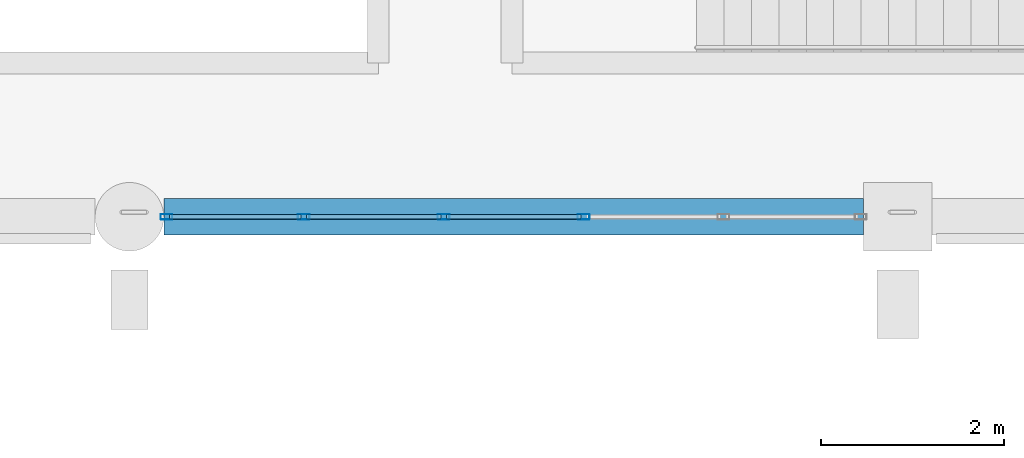
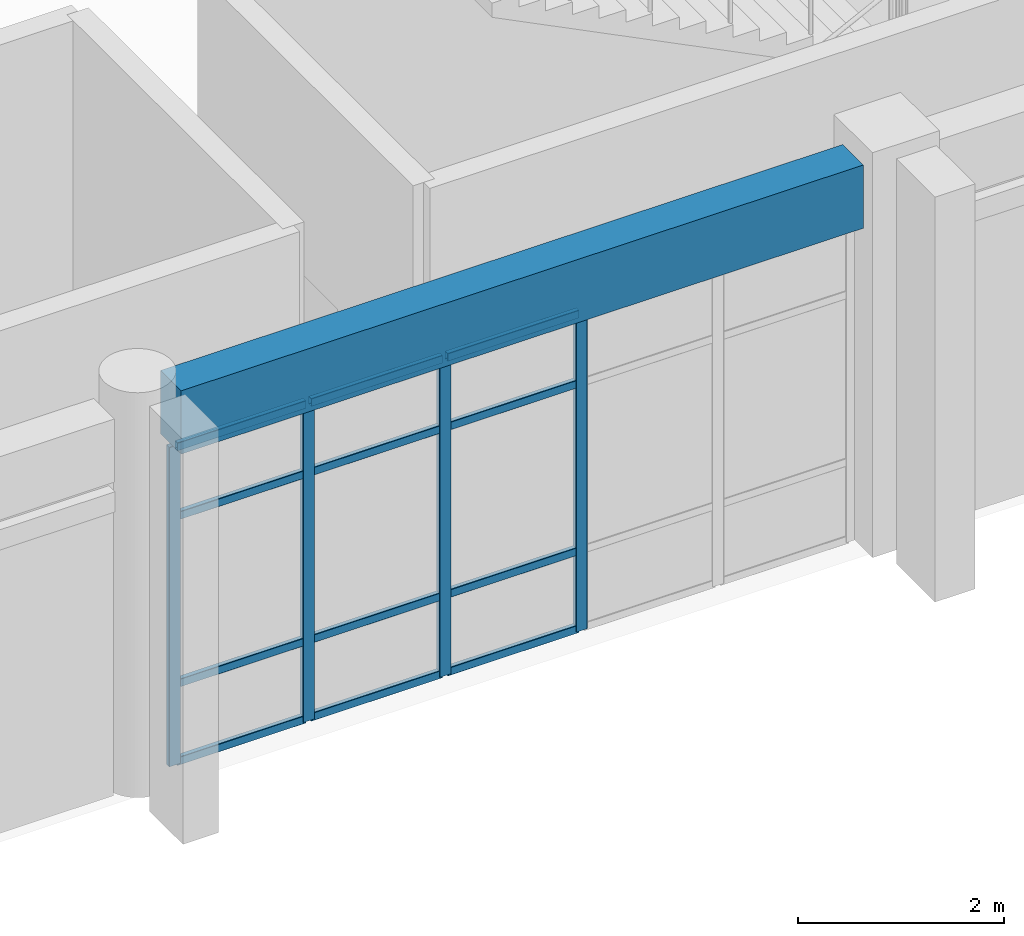
# One storey, part 12 of 111: 16 members, 1 beam, 1 element without a shape of its own.
"""IFC4 building model written with IfcOpenShell, lengths in metres."""

from ifc_helpers import new_model, si_unit, direction, frame, origin, origin_2d, place, context, subcontext, project, spatial, rectangle, hollow_rectangle, extrude, material, material_profile, profile_set, type_object, element, aggregate, save


model = new_model("IFC4")

# Units and contexts
model_context = context("Model", 3, precision=1e-05, world=origin(), true_north=direction((0.0, 1.0)))
body_context = subcontext(model_context, "Body", "Model", "MODEL_VIEW")
ifc_project = project(units=[si_unit("LENGTHUNIT", "METRE"), si_unit("AREAUNIT", "SQUARE_METRE"), si_unit("VOLUMEUNIT", "CUBIC_METRE"), si_unit("PLANEANGLEUNIT", "RADIAN"), si_unit("MASSUNIT", "GRAM", prefix="KILO")], contexts=[model_context])

# Site, building, storey
site_placement = place(None, origin())
site = spatial("IfcSite", under=ifc_project, at=site_placement, CompositionType="ELEMENT")
building_placement = place(site_placement, origin())
building = spatial("IfcBuilding", under=site, at=building_placement, Name="Canglan Escarpment Cableway Terminal", CompositionType="ELEMENT")
storey_placement = place(building_placement, frame((0.0, 0.0, 4.800048828125)))
storey = spatial("IfcBuildingStorey", under=building, at=storey_placement, Name="L01", CompositionType="ELEMENT", Elevation=4.800048828125)

# Curtain wall, members
ifc_material_1 = material(Name="Anodized bronze aluminium and Low-E double glazing", Category="aluminium")
curtain_wall_type = type_object("IfcCurtainWallType", Name="CW-BAY-7650x3775", PredefinedType="NOTDEFINED", material=ifc_material_1)
curtain_wall_placement = place(storey_placement, origin())
curtain_wall = element("IfcCurtainWall", 1, at=curtain_wall_placement, inside=storey, type_object=curtain_wall_type, Name="Classical bay-between-piers glazed curtain wall CW-03", PredefinedType="NOTDEFINED")
ifc_material_2 = material(Name="Thermally broken anodized aluminium 6063-T6", Category="aluminium")
ifc_material_profile_1 = material_profile(ifc_material_2, hollow_rectangle(XDim=0.06005859375, YDim=0.1298828125, WallThickness=0.0029296875, InnerFilletRadius=0.0029296875, OuterFilletRadius=0.006103515625, at=origin_2d()), Name="ALU-MULL 60x130x3")
ifc_profile_set_1 = profile_set([ifc_material_profile_1], Name="Thermally broken anodized aluminium 6063-T6")
member_type_1 = type_object("IfcMemberType", Name="CWM-01", PredefinedType="MULLION", material=ifc_profile_set_1)
member_1_placement = place(storey_placement, frame((51.304931640625, 8.0, 0.0), z_axis=(0.0, 0.0, 1.0), x_axis=(0.0, 1.0, 0.0)))
member_1 = element("IfcMember", 2, at=member_1_placement, type_object=member_type_1, Name="CW-03 mullion 1", PredefinedType="MULLION", context=body_context, shape_type="SweptSolid", body=[
    extrude(hollow_rectangle(XDim=0.06005859375, YDim=0.1298828125, WallThickness=0.0029296875, InnerFilletRadius=0.0029296875, OuterFilletRadius=0.006103515625, at=origin_2d()), origin(), (0.0, 0.0, 1.0), 3.784912109375),
])
member_2_placement = place(storey_placement, frame((52.804931640625, 8.0, 0.0), z_axis=(0.0, 0.0, 1.0), x_axis=(0.0, 1.0, 0.0)))
member_2 = element("IfcMember", 3, at=member_2_placement, type_object=member_type_1, Name="CW-03 mullion 2", PredefinedType="MULLION", context=body_context, shape_type="SweptSolid", body=[
    extrude(hollow_rectangle(XDim=0.06005859375, YDim=0.1298828125, WallThickness=0.0029296875, InnerFilletRadius=0.0029296875, OuterFilletRadius=0.006103515625, at=origin_2d()), origin(), (0.0, 0.0, 1.0), 3.784912109375),
])
member_3_placement = place(storey_placement, frame((54.3349609375, 8.0, 0.0), z_axis=(0.0, 0.0, 1.0), x_axis=(0.0, 1.0, 0.0)))
member_3 = element("IfcMember", 4, at=member_3_placement, type_object=member_type_1, Name="CW-03 mullion 3", PredefinedType="MULLION", context=body_context, shape_type="SweptSolid", body=[
    extrude(hollow_rectangle(XDim=0.06005859375, YDim=0.1298828125, WallThickness=0.0029296875, InnerFilletRadius=0.0029296875, OuterFilletRadius=0.006103515625, at=origin_2d()), origin(), (0.0, 0.0, 1.0), 3.784912109375),
])
member_4_placement = place(storey_placement, frame((55.864990234375, 8.0, 0.0), z_axis=(0.0, 0.0, 1.0), x_axis=(0.0, 1.0, 0.0)))
member_4 = element("IfcMember", 5, at=member_4_placement, type_object=member_type_1, Name="CW-03 mullion 4", PredefinedType="MULLION", context=body_context, shape_type="SweptSolid", body=[
    extrude(hollow_rectangle(XDim=0.06005859375, YDim=0.1298828125, WallThickness=0.0029296875, InnerFilletRadius=0.0029296875, OuterFilletRadius=0.006103515625, at=origin_2d()), origin(), (0.0, 0.0, 1.0), 3.784912109375),
])
ifc_material_profile_2 = material_profile(ifc_material_2, hollow_rectangle(XDim=0.054931640625, YDim=0.094970703125, WallThickness=0.0029296875, InnerFilletRadius=0.0029296875, OuterFilletRadius=0.006103515625, at=origin_2d()), Name="ALU-TRAN 55x95x3")
ifc_profile_set_2 = profile_set([ifc_material_profile_2], Name="Thermally broken anodized aluminium 6063-T6")
member_type_2 = type_object("IfcMemberType", Name="CWT-01", PredefinedType="USERDEFINED", material=ifc_profile_set_2)
member_5_placement = place(storey_placement, frame((51.3349609375, 8.0, 0.02734375), z_axis=(1.0, 0.0, 0.0), x_axis=(0.0, 1.0, 0.0)))
member_5 = element("IfcMember", 6, at=member_5_placement, type_object=member_type_2, Name="CW-03 transom 1.1", ObjectType="TRANSOM", PredefinedType="USERDEFINED", context=body_context, shape_type="SweptSolid", body=[
    extrude(hollow_rectangle(XDim=0.054931640625, YDim=0.094970703125, WallThickness=0.0029296875, InnerFilletRadius=0.0029296875, OuterFilletRadius=0.006103515625, at=origin_2d()), origin(), (0.0, 0.0, 1.0), 1.43994140625),
])
member_6_placement = place(storey_placement, frame((51.3349609375, 8.0, 0.949951171875), z_axis=(1.0, 0.0, 0.0), x_axis=(0.0, 1.0, 0.0)))
member_6 = element("IfcMember", 7, at=member_6_placement, type_object=member_type_2, Name="CW-03 transom 1.2", ObjectType="TRANSOM", PredefinedType="USERDEFINED", context=body_context, shape_type="SweptSolid", body=[
    extrude(hollow_rectangle(XDim=0.054931640625, YDim=0.094970703125, WallThickness=0.0029296875, InnerFilletRadius=0.0029296875, OuterFilletRadius=0.006103515625, at=origin_2d()), origin(), (0.0, 0.0, 1.0), 1.43994140625),
])
member_7_placement = place(storey_placement, frame((51.3349609375, 8.0, 2.93505859375), z_axis=(1.0, 0.0, 0.0), x_axis=(0.0, 1.0, 0.0)))
member_7 = element("IfcMember", 8, at=member_7_placement, type_object=member_type_2, Name="CW-03 transom 1.3", ObjectType="TRANSOM", PredefinedType="USERDEFINED", context=body_context, shape_type="SweptSolid", body=[
    extrude(hollow_rectangle(XDim=0.054931640625, YDim=0.094970703125, WallThickness=0.0029296875, InnerFilletRadius=0.0029296875, OuterFilletRadius=0.006103515625, at=origin_2d()), origin(), (0.0, 0.0, 1.0), 1.43994140625),
])
member_8_placement = place(storey_placement, frame((51.3349609375, 8.0, 3.757568359375), z_axis=(1.0, 0.0, 0.0), x_axis=(0.0, 1.0, 0.0)))
member_8 = element("IfcMember", 9, at=member_8_placement, type_object=member_type_2, Name="CW-03 transom 1.4", ObjectType="TRANSOM", PredefinedType="USERDEFINED", context=body_context, shape_type="SweptSolid", body=[
    extrude(hollow_rectangle(XDim=0.054931640625, YDim=0.094970703125, WallThickness=0.0029296875, InnerFilletRadius=0.0029296875, OuterFilletRadius=0.006103515625, at=origin_2d()), origin(), (0.0, 0.0, 1.0), 1.43994140625),
])
member_9_placement = place(storey_placement, frame((52.8349609375, 8.0, 0.02734375), z_axis=(1.0, 0.0, 0.0), x_axis=(0.0, 1.0, 0.0)))
member_9 = element("IfcMember", 10, at=member_9_placement, type_object=member_type_2, Name="CW-03 transom 2.1", ObjectType="TRANSOM", PredefinedType="USERDEFINED", context=body_context, shape_type="SweptSolid", body=[
    extrude(hollow_rectangle(XDim=0.054931640625, YDim=0.094970703125, WallThickness=0.0029296875, InnerFilletRadius=0.0029296875, OuterFilletRadius=0.006103515625, at=origin_2d()), origin(), (0.0, 0.0, 1.0), 1.469970703125),
])
member_10_placement = place(storey_placement, frame((52.8349609375, 8.0, 0.949951171875), z_axis=(1.0, 0.0, 0.0), x_axis=(0.0, 1.0, 0.0)))
member_10 = element("IfcMember", 11, at=member_10_placement, type_object=member_type_2, Name="CW-03 transom 2.2", ObjectType="TRANSOM", PredefinedType="USERDEFINED", context=body_context, shape_type="SweptSolid", body=[
    extrude(hollow_rectangle(XDim=0.054931640625, YDim=0.094970703125, WallThickness=0.0029296875, InnerFilletRadius=0.0029296875, OuterFilletRadius=0.006103515625, at=origin_2d()), origin(), (0.0, 0.0, 1.0), 1.469970703125),
])
member_11_placement = place(storey_placement, frame((52.8349609375, 8.0, 2.93505859375), z_axis=(1.0, 0.0, 0.0), x_axis=(0.0, 1.0, 0.0)))
member_11 = element("IfcMember", 12, at=member_11_placement, type_object=member_type_2, Name="CW-03 transom 2.3", ObjectType="TRANSOM", PredefinedType="USERDEFINED", context=body_context, shape_type="SweptSolid", body=[
    extrude(hollow_rectangle(XDim=0.054931640625, YDim=0.094970703125, WallThickness=0.0029296875, InnerFilletRadius=0.0029296875, OuterFilletRadius=0.006103515625, at=origin_2d()), origin(), (0.0, 0.0, 1.0), 1.469970703125),
])
member_12_placement = place(storey_placement, frame((52.8349609375, 8.0, 3.757568359375), z_axis=(1.0, 0.0, 0.0), x_axis=(0.0, 1.0, 0.0)))
member_12 = element("IfcMember", 13, at=member_12_placement, type_object=member_type_2, Name="CW-03 transom 2.4", ObjectType="TRANSOM", PredefinedType="USERDEFINED", context=body_context, shape_type="SweptSolid", body=[
    extrude(hollow_rectangle(XDim=0.054931640625, YDim=0.094970703125, WallThickness=0.0029296875, InnerFilletRadius=0.0029296875, OuterFilletRadius=0.006103515625, at=origin_2d()), origin(), (0.0, 0.0, 1.0), 1.469970703125),
])
member_13_placement = place(storey_placement, frame((54.364990234375, 8.0, 0.02734375), z_axis=(1.0, 0.0, 0.0), x_axis=(0.0, 1.0, 0.0)))
member_13 = element("IfcMember", 14, at=member_13_placement, type_object=member_type_2, Name="CW-03 transom 3.1", ObjectType="TRANSOM", PredefinedType="USERDEFINED", context=body_context, shape_type="SweptSolid", body=[
    extrude(hollow_rectangle(XDim=0.054931640625, YDim=0.094970703125, WallThickness=0.0029296875, InnerFilletRadius=0.0029296875, OuterFilletRadius=0.006103515625, at=origin_2d()), origin(), (0.0, 0.0, 1.0), 1.469970703125),
])
member_14_placement = place(storey_placement, frame((54.364990234375, 8.0, 0.949951171875), z_axis=(1.0, 0.0, 0.0), x_axis=(0.0, 1.0, 0.0)))
member_14 = element("IfcMember", 15, at=member_14_placement, type_object=member_type_2, Name="CW-03 transom 3.2", ObjectType="TRANSOM", PredefinedType="USERDEFINED", context=body_context, shape_type="SweptSolid", body=[
    extrude(hollow_rectangle(XDim=0.054931640625, YDim=0.094970703125, WallThickness=0.0029296875, InnerFilletRadius=0.0029296875, OuterFilletRadius=0.006103515625, at=origin_2d()), origin(), (0.0, 0.0, 1.0), 1.469970703125),
])
member_15_placement = place(storey_placement, frame((54.364990234375, 8.0, 2.93505859375), z_axis=(1.0, 0.0, 0.0), x_axis=(0.0, 1.0, 0.0)))
member_15 = element("IfcMember", 16, at=member_15_placement, type_object=member_type_2, Name="CW-03 transom 3.3", ObjectType="TRANSOM", PredefinedType="USERDEFINED", context=body_context, shape_type="SweptSolid", body=[
    extrude(hollow_rectangle(XDim=0.054931640625, YDim=0.094970703125, WallThickness=0.0029296875, InnerFilletRadius=0.0029296875, OuterFilletRadius=0.006103515625, at=origin_2d()), origin(), (0.0, 0.0, 1.0), 1.469970703125),
])
member_16_placement = place(storey_placement, frame((54.364990234375, 8.0, 3.757568359375), z_axis=(1.0, 0.0, 0.0), x_axis=(0.0, 1.0, 0.0)))
member_16 = element("IfcMember", 17, at=member_16_placement, type_object=member_type_2, Name="CW-03 transom 3.4", ObjectType="TRANSOM", PredefinedType="USERDEFINED", context=body_context, shape_type="SweptSolid", body=[
    extrude(hollow_rectangle(XDim=0.054931640625, YDim=0.094970703125, WallThickness=0.0029296875, InnerFilletRadius=0.0029296875, OuterFilletRadius=0.006103515625, at=origin_2d()), origin(), (0.0, 0.0, 1.0), 1.469970703125),
])
aggregate(curtain_wall, [member_1, member_2, member_3, member_4, member_5, member_6, member_7, member_8, member_9, member_10, member_11, member_12, member_13, member_14, member_15, member_16])

# Beam
ifc_material_3 = material(Name="Concrete C40", Category="concrete")
ifc_material_profile_3 = material_profile(ifc_material_3, rectangle(XDim=0.39990234375, YDim=0.75, at=origin_2d()), Name="RC 400x750")
ifc_profile_set_3 = profile_set([ifc_material_profile_3], Name="Concrete C40")
beam_type = type_object("IfcBeamType", Name="SP-RC400x750", PredefinedType="SPANDREL", material=ifc_profile_set_3)
beam_placement = place(storey_placement, frame((51.27490234375, 8.0, 4.175048828125), z_axis=(1.0, 0.0, 0.0), x_axis=(0.0, 1.0, 0.0)))
element("IfcBeam", 18, at=beam_placement, inside=storey, type_object=beam_type, Name="Primary structural girder SP-01", PredefinedType="SPANDREL", context=body_context, shape_type="SweptSolid", body=[
    extrude(rectangle(XDim=0.39990234375, YDim=0.75, at=origin_2d()), origin(), (0.0, 0.0, 1.0), 7.650146484375),
])

save(model, "model.ifc")
